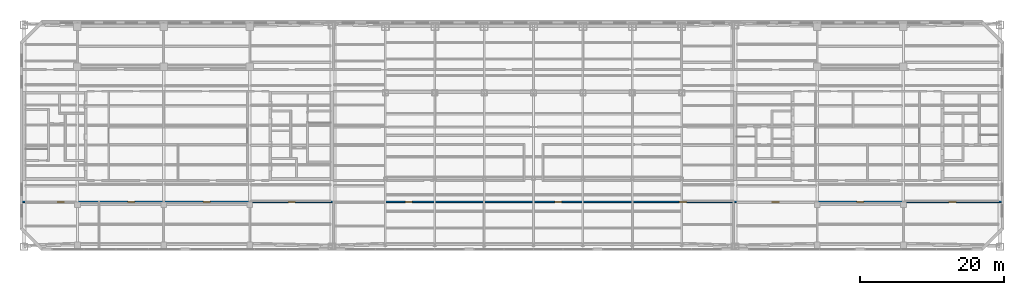
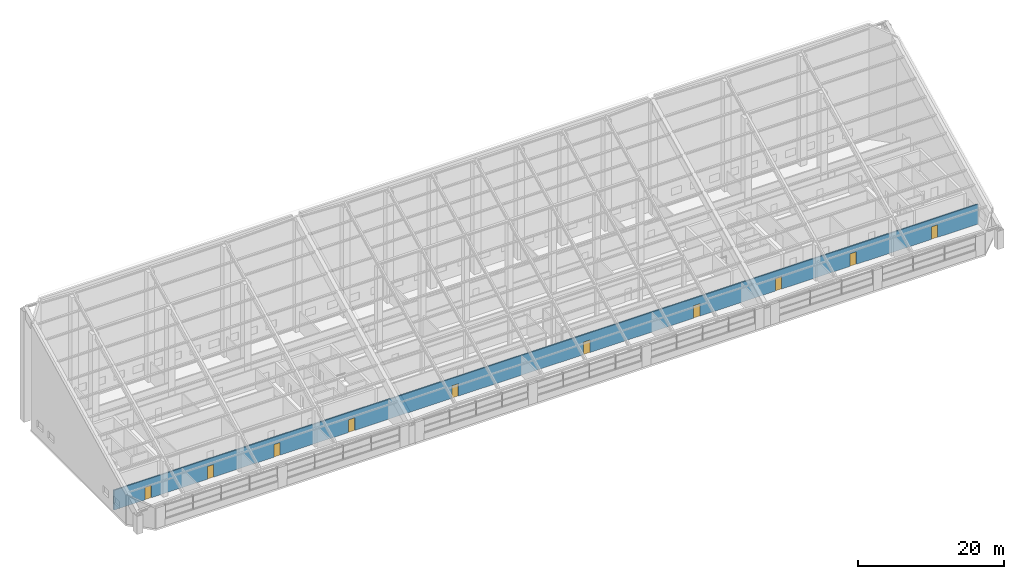
# One storey, part 22 of 28: 10 doors, 1 wall, 10 openings.
"""IFC4 building model written with IfcOpenShell, lengths in metres."""

from ifc_helpers import new_model, si_unit, direction, frame, frame_2d, origin, place, context, subcontext, project, spatial, rectangle, extrude, material, layer, layer_set, type_object, element, fill, save


model = new_model("IFC4")

# Units and contexts
model_context = context("Model", 3, precision=1e-05, world=origin(), true_north=direction((0.0, 1.0)))
body_context = subcontext(model_context, "Body", "Model", "MODEL_VIEW")
ifc_project = project(units=[si_unit("LENGTHUNIT", "METRE"), si_unit("AREAUNIT", "SQUARE_METRE"), si_unit("VOLUMEUNIT", "CUBIC_METRE"), si_unit("PLANEANGLEUNIT", "RADIAN"), si_unit("MASSUNIT", "GRAM", prefix="KILO")], contexts=[model_context])

# Site, building, storey
site_placement = place(None, origin())
site = spatial("IfcSite", under=ifc_project, at=site_placement, CompositionType="ELEMENT")
building_placement = place(site_placement, origin())
building = spatial("IfcBuilding", under=site, at=building_placement, Name="Tuart Gate Housing", CompositionType="ELEMENT")
storey_placement = place(building_placement, frame((0.0, 0.0, 243.89990234375)))
storey = spatial("IfcBuildingStorey", under=building, at=storey_placement, Name="L68", CompositionType="ELEMENT", Elevation=243.89990234375)

# Wall, openings, doors
ifc_material_1 = material(Name="Concrete masonry 15 MPa", Category="masonry")
ifc_layer = layer(ifc_material_1, 0.199951171875)
ifc_layer_set = layer_set([ifc_layer], Name="Enclosure wall masonry 200")
wall_type = type_object("IfcWallType", Name="Enclosure wall masonry 200", PredefinedType="PARTITIONING", material=ifc_layer_set)
wall_placement = place(storey_placement, frame((32.239990234375, 60.800048828125, 0.0), z_axis=(0.0, 0.0, 1.0), x_axis=(1.0, 0.0, 0.0)))
wall = element("IfcWall", 1, at=wall_placement, inside=storey, type_object=wall_type, Name="Enclosure wall masonry 200", PredefinedType="PARTITIONING", context=body_context, shape_type="SweptSolid", body=[
    extrude(rectangle(XDim=136.52001953125, YDim=0.199951171875, at=frame_2d((68.260009765625, 0.0))), origin(), (0.0, 0.0, 1.0), 3.300048828125),
])
opening_1_placement = place(wall_placement, frame((4.93994140625, 0.0, 0.0)))
opening_1 = element("IfcOpeningElement", 2, at=opening_1_placement, cuts=wall, Name="Opening D3280", PredefinedType="OPENING", context=body_context, shape_type="SweptSolid", body=[
    extrude(rectangle(XDim=1.0, YDim=2.10009765625, at=frame_2d((0.5, 1.050048828125))), frame((0.0, 0.10986328125, 0.0), z_axis=(0.0, -1.0, 0.0), x_axis=(1.0, 0.0, 0.0)), (0.0, 0.0, 1.0), 0.219970703125),
])
opening_2_placement = place(wall_placement, frame((14.760009765625, 0.0, 0.0)))
opening_2 = element("IfcOpeningElement", 3, at=opening_2_placement, cuts=wall, Name="Opening D3281", PredefinedType="OPENING", context=body_context, shape_type="SweptSolid", body=[
    extrude(rectangle(XDim=1.0, YDim=2.10009765625, at=frame_2d((0.5, 1.050048828125))), frame((0.0, 0.10986328125, 0.0), z_axis=(0.0, -1.0, 0.0), x_axis=(1.0, 0.0, 0.0)), (0.0, 0.0, 1.0), 0.219970703125),
])
opening_3_placement = place(wall_placement, frame((25.260009765625, 0.0, 0.0)))
opening_3 = element("IfcOpeningElement", 4, at=opening_3_placement, cuts=wall, Name="Opening D3282", PredefinedType="OPENING", context=body_context, shape_type="SweptSolid", body=[
    extrude(rectangle(XDim=1.0, YDim=2.10009765625, at=frame_2d((0.5, 1.050048828125))), frame((0.0, 0.10986328125, 0.0), z_axis=(0.0, -1.0, 0.0), x_axis=(1.0, 0.0, 0.0)), (0.0, 0.0, 1.0), 0.219970703125),
])
opening_4_placement = place(wall_placement, frame((37.080078125, 0.0, 0.0)))
opening_4 = element("IfcOpeningElement", 5, at=opening_4_placement, cuts=wall, Name="Opening D3283", PredefinedType="OPENING", context=body_context, shape_type="SweptSolid", body=[
    extrude(rectangle(XDim=1.0, YDim=2.10009765625, at=frame_2d((0.5, 1.050048828125))), frame((0.0, 0.10986328125, 0.0), z_axis=(0.0, -1.0, 0.0), x_axis=(1.0, 0.0, 0.0)), (0.0, 0.0, 1.0), 0.219970703125),
])
opening_5_placement = place(wall_placement, frame((53.39208984375, 0.0, 0.0)))
opening_5 = element("IfcOpeningElement", 6, at=opening_5_placement, cuts=wall, Name="Opening D3284", PredefinedType="OPENING", context=body_context, shape_type="SweptSolid", body=[
    extrude(rectangle(XDim=1.0, YDim=2.10009765625, at=frame_2d((0.5, 1.050048828125))), frame((0.0, 0.10986328125, 0.0), z_axis=(0.0, -1.0, 0.0), x_axis=(1.0, 0.0, 0.0)), (0.0, 0.0, 1.0), 0.219970703125),
])
opening_6_placement = place(wall_placement, frame((74.197998046875, 0.0, 0.0)))
opening_6 = element("IfcOpeningElement", 7, at=opening_6_placement, cuts=wall, Name="Opening D3285", PredefinedType="OPENING", context=body_context, shape_type="SweptSolid", body=[
    extrude(rectangle(XDim=1.0, YDim=2.10009765625, at=frame_2d((0.5, 1.050048828125))), frame((0.0, 0.10986328125, 0.0), z_axis=(0.0, -1.0, 0.0), x_axis=(1.0, 0.0, 0.0)), (0.0, 0.0, 1.0), 0.219970703125),
])
opening_7_placement = place(wall_placement, frame((91.56494140625, 0.0, 0.0)))
opening_7 = element("IfcOpeningElement", 8, at=opening_7_placement, cuts=wall, Name="Opening D3286", PredefinedType="OPENING", context=body_context, shape_type="SweptSolid", body=[
    extrude(rectangle(XDim=1.0, YDim=2.10009765625, at=frame_2d((0.5, 1.050048828125))), frame((0.0, 0.10986328125, 0.0), z_axis=(0.0, -1.0, 0.0), x_axis=(1.0, 0.0, 0.0)), (0.0, 0.0, 1.0), 0.219970703125),
])
opening_8_placement = place(wall_placement, frame((104.43994140625, 0.0, 0.0)))
opening_8 = element("IfcOpeningElement", 9, at=opening_8_placement, cuts=wall, Name="Opening D3287", PredefinedType="OPENING", context=body_context, shape_type="SweptSolid", body=[
    extrude(rectangle(XDim=1.0, YDim=2.10009765625, at=frame_2d((0.5, 1.050048828125))), frame((0.0, 0.10986328125, 0.0), z_axis=(0.0, -1.0, 0.0), x_axis=(1.0, 0.0, 0.0)), (0.0, 0.0, 1.0), 0.219970703125),
])
opening_9_placement = place(wall_placement, frame((116.260009765625, 0.0, 0.0)))
opening_9 = element("IfcOpeningElement", 10, at=opening_9_placement, cuts=wall, Name="Opening D3288", PredefinedType="OPENING", context=body_context, shape_type="SweptSolid", body=[
    extrude(rectangle(XDim=1.0, YDim=2.10009765625, at=frame_2d((0.5, 1.050048828125))), frame((0.0, 0.10986328125, 0.0), z_axis=(0.0, -1.0, 0.0), x_axis=(1.0, 0.0, 0.0)), (0.0, 0.0, 1.0), 0.219970703125),
])
opening_10_placement = place(wall_placement, frame((129.080078125, 0.0, 0.0)))
opening_10 = element("IfcOpeningElement", 11, at=opening_10_placement, cuts=wall, Name="Opening D3289", PredefinedType="OPENING", context=body_context, shape_type="SweptSolid", body=[
    extrude(rectangle(XDim=1.0, YDim=2.10009765625, at=frame_2d((0.5, 1.050048828125))), frame((0.0, 0.10986328125, 0.0), z_axis=(0.0, -1.0, 0.0), x_axis=(1.0, 0.0, 0.0)), (0.0, 0.0, 1.0), 0.219970703125),
])
ifc_material_2 = material(Name="Timber door leaf in steel frame", Category="steel")
door_type_1 = type_object("IfcDoorType", Name="Fire door 1000", OperationType="SINGLE_SWING_LEFT", PredefinedType="DOOR", material=ifc_material_2)
door_1_placement = place(opening_6_placement, frame((1.0, 0.0, 0.0), z_axis=(0.0, 0.0, 1.0), x_axis=(-1.0, 0.0, 0.0)))
door_1 = element("IfcDoor", 12, at=door_1_placement, inside=storey, type_object=door_type_1, Name="Fire door 1000", OperationType="SINGLE_SWING_LEFT", OverallHeight=2.10009765625, OverallWidth=1.0, PredefinedType="DOOR", context=body_context, shape_type="SweptSolid", body=[
    extrude(rectangle(XDim=1.0, YDim=2.10009765625, at=frame_2d((0.5, 1.050048828125))), frame((0.0, 0.025146484375, 0.0), z_axis=(0.0, -1.0, 0.0), x_axis=(1.0, 0.0, 0.0)), (0.0, 0.0, 1.0), 0.050048828125),
])
fill(opening_6, door_1)
ifc_material_3 = material(Name="Timber door leaf in steel frame", Category="steel")
door_type_2 = type_object("IfcDoorType", Name="Fire door 1000 RH", OperationType="SINGLE_SWING_RIGHT", PredefinedType="DOOR", material=ifc_material_3)
door_2_placement = place(opening_1_placement, frame((1.0, 0.0, 0.0), z_axis=(0.0, 0.0, 1.0), x_axis=(-1.0, 0.0, 0.0)))
door_2 = element("IfcDoor", 13, at=door_2_placement, inside=storey, type_object=door_type_2, Name="Fire door 1000", OperationType="SINGLE_SWING_RIGHT", OverallHeight=2.10009765625, OverallWidth=1.0, PredefinedType="DOOR", context=body_context, shape_type="SweptSolid", body=[
    extrude(rectangle(XDim=1.0, YDim=2.10009765625, at=frame_2d((0.5, 1.050048828125))), frame((0.0, 0.025146484375, 0.0), z_axis=(0.0, -1.0, 0.0), x_axis=(1.0, 0.0, 0.0)), (0.0, 0.0, 1.0), 0.050048828125),
])
fill(opening_1, door_2)
door_3_placement = place(opening_2_placement, frame((1.0, 0.0, 0.0), z_axis=(0.0, 0.0, 1.0), x_axis=(-1.0, 0.0, 0.0)))
door_3 = element("IfcDoor", 14, at=door_3_placement, inside=storey, type_object=door_type_2, Name="Fire door 1000", OperationType="SINGLE_SWING_RIGHT", OverallHeight=2.10009765625, OverallWidth=1.0, PredefinedType="DOOR", context=body_context, shape_type="SweptSolid", body=[
    extrude(rectangle(XDim=1.0, YDim=2.10009765625, at=frame_2d((0.5, 1.050048828125))), frame((0.0, 0.025146484375, 0.0), z_axis=(0.0, -1.0, 0.0), x_axis=(1.0, 0.0, 0.0)), (0.0, 0.0, 1.0), 0.050048828125),
])
fill(opening_2, door_3)
door_4_placement = place(opening_3_placement, frame((1.0, 0.0, 0.0), z_axis=(0.0, 0.0, 1.0), x_axis=(-1.0, 0.0, 0.0)))
door_4 = element("IfcDoor", 15, at=door_4_placement, inside=storey, type_object=door_type_2, Name="Fire door 1000", OperationType="SINGLE_SWING_RIGHT", OverallHeight=2.10009765625, OverallWidth=1.0, PredefinedType="DOOR", context=body_context, shape_type="SweptSolid", body=[
    extrude(rectangle(XDim=1.0, YDim=2.10009765625, at=frame_2d((0.5, 1.050048828125))), frame((0.0, 0.025146484375, 0.0), z_axis=(0.0, -1.0, 0.0), x_axis=(1.0, 0.0, 0.0)), (0.0, 0.0, 1.0), 0.050048828125),
])
fill(opening_3, door_4)
door_5_placement = place(opening_4_placement, frame((1.0, 0.0, 0.0), z_axis=(0.0, 0.0, 1.0), x_axis=(-1.0, 0.0, 0.0)))
door_5 = element("IfcDoor", 16, at=door_5_placement, inside=storey, type_object=door_type_2, Name="Fire door 1000", OperationType="SINGLE_SWING_RIGHT", OverallHeight=2.10009765625, OverallWidth=1.0, PredefinedType="DOOR", context=body_context, shape_type="SweptSolid", body=[
    extrude(rectangle(XDim=1.0, YDim=2.10009765625, at=frame_2d((0.5, 1.050048828125))), frame((0.0, 0.025146484375, 0.0), z_axis=(0.0, -1.0, 0.0), x_axis=(1.0, 0.0, 0.0)), (0.0, 0.0, 1.0), 0.050048828125),
])
fill(opening_4, door_5)
door_6_placement = place(opening_5_placement, frame((1.0, 0.0, 0.0), z_axis=(0.0, 0.0, 1.0), x_axis=(-1.0, 0.0, 0.0)))
door_6 = element("IfcDoor", 17, at=door_6_placement, inside=storey, type_object=door_type_2, Name="Fire door 1000", OperationType="SINGLE_SWING_RIGHT", OverallHeight=2.10009765625, OverallWidth=1.0, PredefinedType="DOOR", context=body_context, shape_type="SweptSolid", body=[
    extrude(rectangle(XDim=1.0, YDim=2.10009765625, at=frame_2d((0.5, 1.050048828125))), frame((0.0, 0.025146484375, 0.0), z_axis=(0.0, -1.0, 0.0), x_axis=(1.0, 0.0, 0.0)), (0.0, 0.0, 1.0), 0.050048828125),
])
fill(opening_5, door_6)
door_7_placement = place(opening_7_placement, frame((1.0, 0.0, 0.0), z_axis=(0.0, 0.0, 1.0), x_axis=(-1.0, 0.0, 0.0)))
door_7 = element("IfcDoor", 18, at=door_7_placement, inside=storey, type_object=door_type_2, Name="Fire door 1000", OperationType="SINGLE_SWING_RIGHT", OverallHeight=2.10009765625, OverallWidth=1.0, PredefinedType="DOOR", context=body_context, shape_type="SweptSolid", body=[
    extrude(rectangle(XDim=1.0, YDim=2.10009765625, at=frame_2d((0.5, 1.050048828125))), frame((0.0, 0.025146484375, 0.0), z_axis=(0.0, -1.0, 0.0), x_axis=(1.0, 0.0, 0.0)), (0.0, 0.0, 1.0), 0.050048828125),
])
fill(opening_7, door_7)
door_8_placement = place(opening_8_placement, frame((1.0, 0.0, 0.0), z_axis=(0.0, 0.0, 1.0), x_axis=(-1.0, 0.0, 0.0)))
door_8 = element("IfcDoor", 19, at=door_8_placement, inside=storey, type_object=door_type_2, Name="Fire door 1000", OperationType="SINGLE_SWING_RIGHT", OverallHeight=2.10009765625, OverallWidth=1.0, PredefinedType="DOOR", context=body_context, shape_type="SweptSolid", body=[
    extrude(rectangle(XDim=1.0, YDim=2.10009765625, at=frame_2d((0.5, 1.050048828125))), frame((0.0, 0.025146484375, 0.0), z_axis=(0.0, -1.0, 0.0), x_axis=(1.0, 0.0, 0.0)), (0.0, 0.0, 1.0), 0.050048828125),
])
fill(opening_8, door_8)
door_9_placement = place(opening_9_placement, frame((1.0, 0.0, 0.0), z_axis=(0.0, 0.0, 1.0), x_axis=(-1.0, 0.0, 0.0)))
door_9 = element("IfcDoor", 20, at=door_9_placement, inside=storey, type_object=door_type_2, Name="Fire door 1000", OperationType="SINGLE_SWING_RIGHT", OverallHeight=2.10009765625, OverallWidth=1.0, PredefinedType="DOOR", context=body_context, shape_type="SweptSolid", body=[
    extrude(rectangle(XDim=1.0, YDim=2.10009765625, at=frame_2d((0.5, 1.050048828125))), frame((0.0, 0.025146484375, 0.0), z_axis=(0.0, -1.0, 0.0), x_axis=(1.0, 0.0, 0.0)), (0.0, 0.0, 1.0), 0.050048828125),
])
fill(opening_9, door_9)
door_10_placement = place(opening_10_placement, frame((1.0, 0.0, 0.0), z_axis=(0.0, 0.0, 1.0), x_axis=(-1.0, 0.0, 0.0)))
door_10 = element("IfcDoor", 21, at=door_10_placement, inside=storey, type_object=door_type_2, Name="Fire door 1000", OperationType="SINGLE_SWING_RIGHT", OverallHeight=2.10009765625, OverallWidth=1.0, PredefinedType="DOOR", context=body_context, shape_type="SweptSolid", body=[
    extrude(rectangle(XDim=1.0, YDim=2.10009765625, at=frame_2d((0.5, 1.050048828125))), frame((0.0, 0.025146484375, 0.0), z_axis=(0.0, -1.0, 0.0), x_axis=(1.0, 0.0, 0.0)), (0.0, 0.0, 1.0), 0.050048828125),
])
fill(opening_10, door_10)

save(model, "model.ifc")
